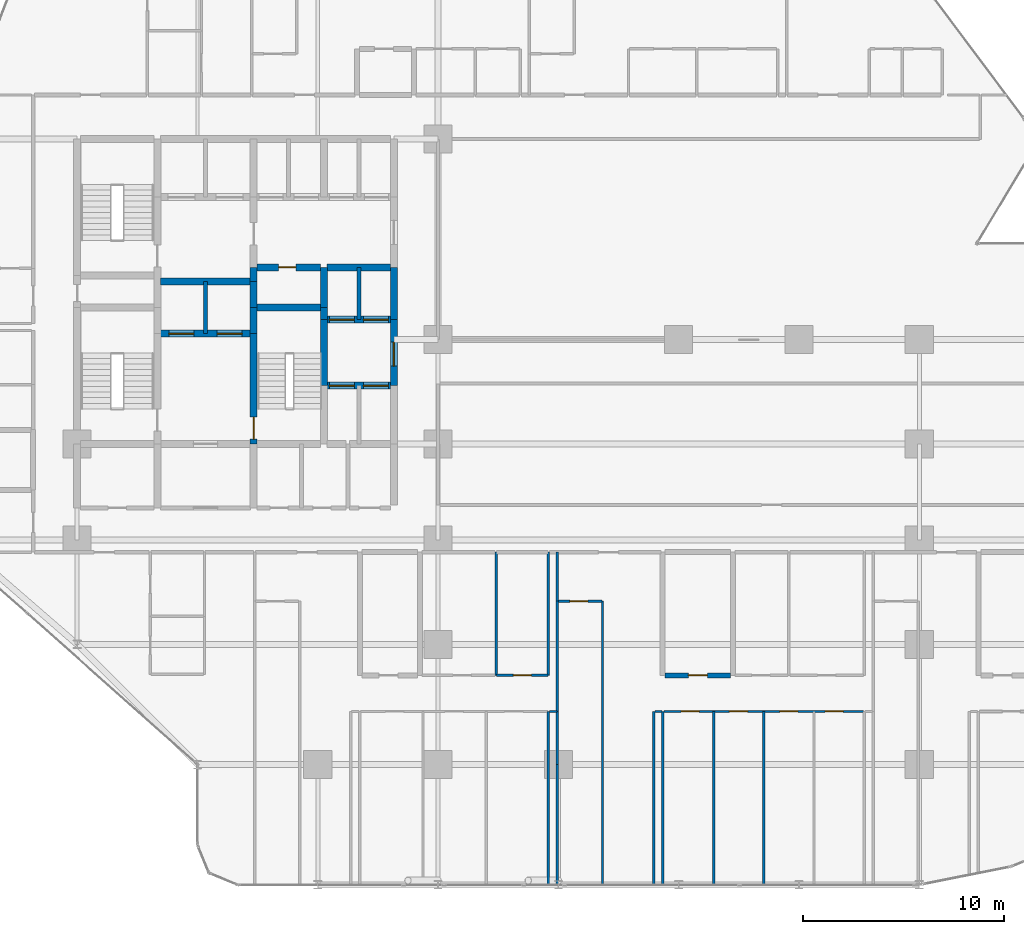
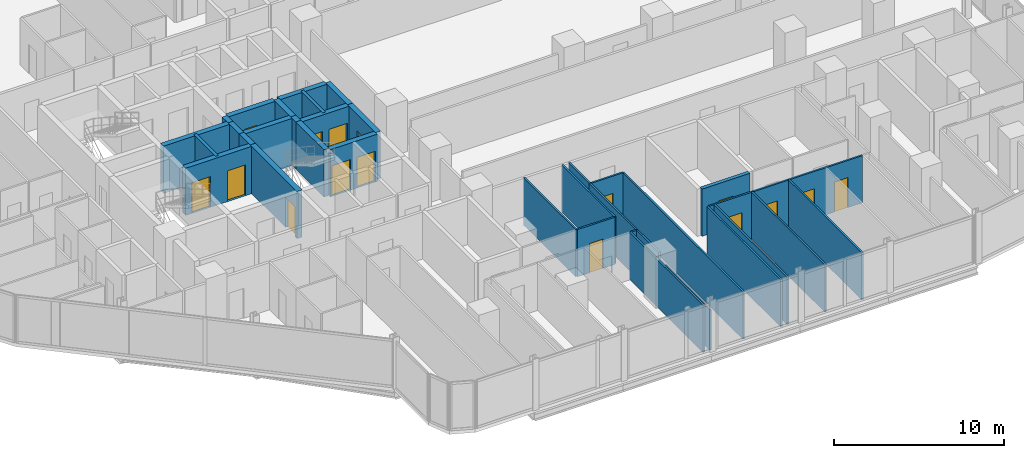
# One storey, part 28 of 33: 36 walls, 16 doors, 16 openings.
"""IFC4 building model written with IfcOpenShell, lengths in metres."""

from ifc_helpers import new_model, si_unit, direction, frame, frame_2d, origin, place, context, subcontext, project, spatial, rectangle, extrude, material, layer, layer_set, type_object, element, fill, save


model = new_model("IFC4")

# Units and contexts
model_context = context("Model", 3, precision=1e-05, world=origin(), true_north=direction((0.0, 1.0)))
body_context = subcontext(model_context, "Body", "Model", "MODEL_VIEW")
ifc_project = project(units=[si_unit("LENGTHUNIT", "METRE"), si_unit("AREAUNIT", "SQUARE_METRE"), si_unit("VOLUMEUNIT", "CUBIC_METRE"), si_unit("PLANEANGLEUNIT", "RADIAN"), si_unit("MASSUNIT", "GRAM", prefix="KILO")], contexts=[model_context])

# Site, building, storey
site_placement = place(None, origin())
site = spatial("IfcSite", under=ifc_project, at=site_placement, CompositionType="ELEMENT")
building_placement = place(site_placement, origin())
building = spatial("IfcBuilding", under=site, at=building_placement, Name="Keshet Zoharim Tower", CompositionType="ELEMENT")
storey_placement = place(building_placement, frame((0.0, 0.0, 27.699951171875)))
storey = spatial("IfcBuildingStorey", under=building, at=storey_placement, Name="L05", CompositionType="ELEMENT", Elevation=27.699951171875)

# Wall, opening, door
ifc_material_1 = material(Name="Concrete C60/75", Category="concrete")
ifc_layer_1 = layer(ifc_material_1, 0.35009765625)
ifc_layer_set_1 = layer_set([ifc_layer_1], Name="Concrete C60/75")
wall_type_1 = type_object("IfcWallType", Name="WL-CORE-350", PredefinedType="SHEAR", material=ifc_layer_set_1)
wall_1_placement = place(storey_placement, frame((23.800048828125, 22.699951171875, 0.0), z_axis=(0.0, 0.0, 1.0), x_axis=(0.0, 1.0, 0.0)))
wall_1 = element("IfcWall", 1, at=wall_1_placement, inside=storey, type_object=wall_type_1, Name="L05 Core Shear Wall 035", PredefinedType="SHEAR", context=body_context, shape_type="SweptSolid", body=[
    extrude(rectangle(XDim=5.5, YDim=0.35009765625, at=frame_2d((2.75, 0.0))), origin(), (0.0, 0.0, 1.0), 3.385009765625),
])
opening_1_placement = place(wall_1_placement, frame((0.235107421875, 0.0, 0.0)))
opening_1 = element("IfcOpeningElement", 2, at=opening_1_placement, cuts=wall_1, Name="Opening D-F611", PredefinedType="OPENING", context=body_context, shape_type="SweptSolid", body=[
    extrude(rectangle(XDim=1.10009765625, YDim=2.14990234375, at=frame_2d((0.550048828125, 1.074951171875))), frame((0.0, 0.18505859375, 0.0), z_axis=(0.0, -1.0, 0.0), x_axis=(1.0, 0.0, 0.0)), (0.0, 0.0, 1.0), 0.3701171875),
])
ifc_material_2 = material(Name="Hardwood Timber", Category="wood")
door_type_1 = type_object("IfcDoorType", Name="DR-FD60-110", OperationType="NOTDEFINED", PredefinedType="DOOR", material=ifc_material_2)
door_1_placement = place(opening_1_placement, frame((1.10009765625, 0.0, 0.0), z_axis=(0.0, 0.0, 1.0), x_axis=(-1.0, 0.0, 0.0)))
door_1 = element("IfcDoor", 3, at=door_1_placement, inside=storey, type_object=door_type_1, Name="L05 Exit Stair ST-03 Fire Door", OperationType="SINGLE_SWING_RIGHT", OverallHeight=2.14990234375, OverallWidth=1.10009765625, PredefinedType="DOOR", context=body_context, shape_type="SweptSolid", body=[
    extrude(rectangle(XDim=1.10009765625, YDim=2.14990234375, at=frame_2d((0.550048828125, 1.074951171875))), frame((0.0, 0.02490234375, 0.0), z_axis=(0.0, -1.0, 0.0), x_axis=(1.0, 0.0, 0.0)), (0.0, 0.0, 1.0), 0.050048828125),
])
fill(opening_1, door_1)

# Walls
for number, where, z_axis, x_axis, name in (
    (4, (23.800048828125, 28.199951171875, 0.0), (0.0, 0.0, 1.0), (0.0, 1.0, 0.0), "L05 Core Shear Wall 036"),
    (5, (23.800048828125, 29.5, 0.0), (0.0, 0.0, 1.0), (0.0, 1.0, 0.0), "L05 Core Shear Wall 037"),
):
    element("IfcWall", number, at=place(storey_placement, frame(where, z_axis=z_axis, x_axis=x_axis)), inside=storey, type_object=wall_type_1, Name=name, PredefinedType="SHEAR", context=body_context, shape_type="SweptSolid", body=[
        extrude(rectangle(XDim=1.300048828125, YDim=0.35009765625, at=frame_2d((0.64990234375, 0.0))), origin(), (0.0, 0.0, 1.0), 3.385009765625),
    ])
wall_2_placement = place(storey_placement, frame((23.800048828125, 30.800048828125, 0.0), z_axis=(0.0, 0.0, 1.0), x_axis=(0.0, 1.0, 0.0)))
element("IfcWall", 6, at=wall_2_placement, inside=storey, type_object=wall_type_1, Name="L05 Core Shear Wall 038", PredefinedType="SHEAR", context=body_context, shape_type="SweptSolid", body=[
    extrude(rectangle(XDim=0.699951171875, YDim=0.35009765625, at=frame_2d((0.35009765625, 0.0))), origin(), (0.0, 0.0, 1.0), 3.385009765625),
])
wall_3_placement = place(storey_placement, frame((27.300048828125, 25.60009765625, 0.0), z_axis=(0.0, 0.0, 1.0), x_axis=(0.0, 1.0, 0.0)))
element("IfcWall", 7, at=wall_3_placement, inside=storey, type_object=wall_type_1, Name="L05 Core Shear Wall 048", PredefinedType="SHEAR", context=body_context, shape_type="SweptSolid", body=[
    extrude(rectangle(XDim=3.2998046875, YDim=0.35009765625, at=frame_2d((1.64990234375, 0.0))), origin(), (0.0, 0.0, 1.0), 3.385009765625),
])
wall_4_placement = place(storey_placement, frame((27.300048828125, 28.89990234375, 0.0), z_axis=(0.0, 0.0, 1.0), x_axis=(0.0, 1.0, 0.0)))
element("IfcWall", 8, at=wall_4_placement, inside=storey, type_object=wall_type_1, Name="L05 Core Shear Wall 049", PredefinedType="SHEAR", context=body_context, shape_type="SweptSolid", body=[
    extrude(rectangle(XDim=0.60009765625, YDim=0.35009765625, at=frame_2d((0.300048828125, 0.0))), origin(), (0.0, 0.0, 1.0), 3.385009765625),
])
wall_5_placement = place(storey_placement, frame((27.300048828125, 29.5, 0.0), z_axis=(0.0, 0.0, 1.0), x_axis=(0.0, 1.0, 0.0)))
element("IfcWall", 9, at=wall_5_placement, inside=storey, type_object=wall_type_1, Name="L05 Core Shear Wall 050", PredefinedType="SHEAR", context=body_context, shape_type="SweptSolid", body=[
    extrude(rectangle(XDim=2.0, YDim=0.35009765625, at=frame_2d((1.0, 0.0))), origin(), (0.0, 0.0, 1.0), 3.385009765625),
])

# Wall, opening, door
wall_6_placement = place(storey_placement, frame((30.800048828125, 25.60009765625, 0.0), z_axis=(0.0, 0.0, 1.0), x_axis=(0.0, 1.0, 0.0)))
wall_6 = element("IfcWall", 10, at=wall_6_placement, inside=storey, type_object=wall_type_1, Name="L05 Core Shear Wall 064", PredefinedType="SHEAR", context=body_context, shape_type="SweptSolid", body=[
    extrude(rectangle(XDim=3.2998046875, YDim=0.35009765625, at=frame_2d((1.64990234375, 0.0))), origin(), (0.0, 0.0, 1.0), 3.385009765625),
])
opening_2_placement = place(wall_6_placement, frame((0.97802734375, 0.0, 0.0)))
opening_2 = element("IfcOpeningElement", 11, at=opening_2_placement, cuts=wall_6, Name="Opening D-F612", PredefinedType="OPENING", context=body_context, shape_type="SweptSolid", body=[
    extrude(rectangle(XDim=1.199951171875, YDim=2.199951171875, at=frame_2d((0.60009765625, 1.10009765625))), frame((0.0, 0.18505859375, 0.0), z_axis=(0.0, -1.0, 0.0), x_axis=(1.0, 0.0, 0.0)), (0.0, 0.0, 1.0), 0.3701171875),
])
door_type_2 = type_object("IfcDoorType", Name="DR-FD60-120", OperationType="NOTDEFINED", PredefinedType="DOOR", material=ifc_material_2)
door_2_placement = place(opening_2_placement, origin())
door_2 = element("IfcDoor", 12, at=door_2_placement, inside=storey, type_object=door_type_2, Name="L05 East Lift Lobby Fire Door", OperationType="SINGLE_SWING_RIGHT", OverallHeight=2.199951171875, OverallWidth=1.199951171875, PredefinedType="DOOR", context=body_context, shape_type="SweptSolid", body=[
    extrude(rectangle(XDim=1.199951171875, YDim=2.199951171875, at=frame_2d((0.60009765625, 1.10009765625))), frame((0.0, 0.02490234375, 0.0), z_axis=(0.0, -1.0, 0.0), x_axis=(1.0, 0.0, 0.0)), (0.0, 0.0, 1.0), 0.050048828125),
])
fill(opening_2, door_2)

# Wall
wall_7_placement = place(storey_placement, frame((30.800048828125, 28.89990234375, 0.0), z_axis=(0.0, 0.0, 1.0), x_axis=(0.0, 1.0, 0.0)))
element("IfcWall", 13, at=wall_7_placement, inside=storey, type_object=wall_type_1, Name="L05 Core Shear Wall 065", PredefinedType="SHEAR", context=body_context, shape_type="SweptSolid", body=[
    extrude(rectangle(XDim=2.60009765625, YDim=0.35009765625, at=frame_2d((1.300048828125, 0.0))), origin(), (0.0, 0.0, 1.0), 3.385009765625),
])

# Wall, openings, doors
wall_8_placement = place(storey_placement, frame((27.4599609375, 25.60009765625, 0.0), z_axis=(0.0, 0.0, 1.0), x_axis=(1.0, 0.0, 0.0)))
wall_8 = element("IfcWall", 14, at=wall_8_placement, inside=storey, type_object=wall_type_1, Name="L05 Core Shear Wall 183", PredefinedType="SHEAR", context=body_context, shape_type="SweptSolid", body=[
    extrude(rectangle(XDim=3.179931640625, YDim=0.35009765625, at=frame_2d((1.58984375, 0.0))), origin(), (0.0, 0.0, 1.0), 3.385009765625),
])
opening_3_placement = place(wall_8_placement, frame((0.1201171875, 0.0, 0.0)))
opening_3 = element("IfcOpeningElement", 15, at=opening_3_placement, cuts=wall_8, Name="Opening LD-01", PredefinedType="OPENING", context=body_context, shape_type="SweptSolid", body=[
    extrude(rectangle(XDim=1.25, YDim=2.199951171875, at=frame_2d((0.625, 1.10009765625))), frame((0.0, 0.18505859375, 0.0), z_axis=(0.0, -1.0, 0.0), x_axis=(1.0, 0.0, 0.0)), (0.0, 0.0, 1.0), 0.3701171875),
])
opening_4_placement = place(wall_8_placement, frame((1.81005859375, 0.0, 0.0)))
opening_4 = element("IfcOpeningElement", 16, at=opening_4_placement, cuts=wall_8, Name="Opening LD-01", PredefinedType="OPENING", context=body_context, shape_type="SweptSolid", body=[
    extrude(rectangle(XDim=1.25, YDim=2.199951171875, at=frame_2d((0.625, 1.10009765625))), frame((0.0, 0.18505859375, 0.0), z_axis=(0.0, -1.0, 0.0), x_axis=(1.0, 0.0, 0.0)), (0.0, 0.0, 1.0), 0.3701171875),
])
ifc_material_3 = material(Name="Steel S355", Category="steel")
door_type_3 = type_object("IfcDoorType", Name="DR-LD01-125", OperationType="DOUBLE_DOOR_SLIDING", PredefinedType="DOOR", material=ifc_material_3)
door_3_placement = place(opening_3_placement, origin())
door_3 = element("IfcDoor", 17, at=door_3_placement, inside=storey, type_object=door_type_3, Name="L05 Passenger Lift Landing Door LF-07", OperationType="DOUBLE_DOOR_SLIDING", OverallHeight=2.199951171875, OverallWidth=1.25, PredefinedType="DOOR", context=body_context, shape_type="SweptSolid", body=[
    extrude(rectangle(XDim=1.25, YDim=2.199951171875, at=frame_2d((0.625, 1.10009765625))), frame((0.0, 0.02490234375, 0.0), z_axis=(0.0, -1.0, 0.0), x_axis=(1.0, 0.0, 0.0)), (0.0, 0.0, 1.0), 0.050048828125),
])
fill(opening_3, door_3)
door_4_placement = place(opening_4_placement, origin())
door_4 = element("IfcDoor", 18, at=door_4_placement, inside=storey, type_object=door_type_3, Name="L05 Passenger Lift Landing Door LF-08", OperationType="DOUBLE_DOOR_SLIDING", OverallHeight=2.199951171875, OverallWidth=1.25, PredefinedType="DOOR", context=body_context, shape_type="SweptSolid", body=[
    extrude(rectangle(XDim=1.25, YDim=2.199951171875, at=frame_2d((0.625, 1.10009765625))), frame((0.0, 0.02490234375, 0.0), z_axis=(0.0, -1.0, 0.0), x_axis=(1.0, 0.0, 0.0)), (0.0, 0.0, 1.0), 0.050048828125),
])
fill(opening_4, door_4)

wall_9_placement = place(storey_placement, frame((19.159912109375, 28.199951171875, 0.0), z_axis=(0.0, 0.0, 1.0), x_axis=(1.0, 0.0, 0.0)))
wall_9 = element("IfcWall", 19, at=wall_9_placement, inside=storey, type_object=wall_type_1, Name="L05 Core Shear Wall 188", PredefinedType="SHEAR", context=body_context, shape_type="SweptSolid", body=[
    extrude(rectangle(XDim=4.47998046875, YDim=0.35009765625, at=frame_2d((2.239990234375, 0.0))), origin(), (0.0, 0.0, 1.0), 3.385009765625),
])
opening_5_placement = place(wall_9_placement, frame((0.4150390625, 0.0, 0.0)))
opening_5 = element("IfcOpeningElement", 20, at=opening_5_placement, cuts=wall_9, Name="Opening LD-01", PredefinedType="OPENING", context=body_context, shape_type="SweptSolid", body=[
    extrude(rectangle(XDim=1.25, YDim=2.199951171875, at=frame_2d((0.625, 1.10009765625))), frame((0.0, 0.18505859375, 0.0), z_axis=(0.0, -1.0, 0.0), x_axis=(1.0, 0.0, 0.0)), (0.0, 0.0, 1.0), 0.3701171875),
])
opening_6_placement = place(wall_9_placement, frame((2.81494140625, 0.0, 0.0)))
opening_6 = element("IfcOpeningElement", 21, at=opening_6_placement, cuts=wall_9, Name="Opening LD-01", PredefinedType="OPENING", context=body_context, shape_type="SweptSolid", body=[
    extrude(rectangle(XDim=1.25, YDim=2.199951171875, at=frame_2d((0.625, 1.10009765625))), frame((0.0, 0.18505859375, 0.0), z_axis=(0.0, -1.0, 0.0), x_axis=(1.0, 0.0, 0.0)), (0.0, 0.0, 1.0), 0.3701171875),
])
door_5_placement = place(opening_5_placement, origin())
door_5 = element("IfcDoor", 22, at=door_5_placement, inside=storey, type_object=door_type_3, Name="L05 Passenger Lift Landing Door LF-09", OperationType="DOUBLE_DOOR_SLIDING", OverallHeight=2.199951171875, OverallWidth=1.25, PredefinedType="DOOR", context=body_context, shape_type="SweptSolid", body=[
    extrude(rectangle(XDim=1.25, YDim=2.199951171875, at=frame_2d((0.625, 1.10009765625))), frame((0.0, 0.02490234375, 0.0), z_axis=(0.0, -1.0, 0.0), x_axis=(1.0, 0.0, 0.0)), (0.0, 0.0, 1.0), 0.050048828125),
])
fill(opening_5, door_5)
door_6_placement = place(opening_6_placement, origin())
door_6 = element("IfcDoor", 23, at=door_6_placement, inside=storey, type_object=door_type_3, Name="L05 Passenger Lift Landing Door LF-10", OperationType="DOUBLE_DOOR_SLIDING", OverallHeight=2.199951171875, OverallWidth=1.25, PredefinedType="DOOR", context=body_context, shape_type="SweptSolid", body=[
    extrude(rectangle(XDim=1.25, YDim=2.199951171875, at=frame_2d((0.625, 1.10009765625))), frame((0.0, 0.02490234375, 0.0), z_axis=(0.0, -1.0, 0.0), x_axis=(1.0, 0.0, 0.0)), (0.0, 0.0, 1.0), 0.050048828125),
])
fill(opening_6, door_6)

wall_10_placement = place(storey_placement, frame((27.4599609375, 28.89990234375, 0.0), z_axis=(0.0, 0.0, 1.0), x_axis=(1.0, 0.0, 0.0)))
wall_10 = element("IfcWall", 24, at=wall_10_placement, inside=storey, type_object=wall_type_1, Name="L05 Core Shear Wall 193", PredefinedType="SHEAR", context=body_context, shape_type="SweptSolid", body=[
    extrude(rectangle(XDim=3.179931640625, YDim=0.35009765625, at=frame_2d((1.58984375, 0.0))), origin(), (0.0, 0.0, 1.0), 3.385009765625),
])
opening_7_placement = place(wall_10_placement, frame((0.1201171875, 0.0, 0.0)))
opening_7 = element("IfcOpeningElement", 25, at=opening_7_placement, cuts=wall_10, Name="Opening LD-01", PredefinedType="OPENING", context=body_context, shape_type="SweptSolid", body=[
    extrude(rectangle(XDim=1.25, YDim=2.199951171875, at=frame_2d((0.625, 1.10009765625))), frame((0.0, 0.18505859375, 0.0), z_axis=(0.0, -1.0, 0.0), x_axis=(1.0, 0.0, 0.0)), (0.0, 0.0, 1.0), 0.3701171875),
])
opening_8_placement = place(wall_10_placement, frame((1.81005859375, 0.0, 0.0)))
opening_8 = element("IfcOpeningElement", 26, at=opening_8_placement, cuts=wall_10, Name="Opening LD-01", PredefinedType="OPENING", context=body_context, shape_type="SweptSolid", body=[
    extrude(rectangle(XDim=1.25, YDim=2.199951171875, at=frame_2d((0.625, 1.10009765625))), frame((0.0, 0.18505859375, 0.0), z_axis=(0.0, -1.0, 0.0), x_axis=(1.0, 0.0, 0.0)), (0.0, 0.0, 1.0), 0.3701171875),
])
door_7_placement = place(opening_7_placement, origin())
door_7 = element("IfcDoor", 27, at=door_7_placement, inside=storey, type_object=door_type_3, Name="L05 Passenger Lift Landing Door LF-05", OperationType="DOUBLE_DOOR_SLIDING", OverallHeight=2.199951171875, OverallWidth=1.25, PredefinedType="DOOR", context=body_context, shape_type="SweptSolid", body=[
    extrude(rectangle(XDim=1.25, YDim=2.199951171875, at=frame_2d((0.625, 1.10009765625))), frame((0.0, 0.02490234375, 0.0), z_axis=(0.0, -1.0, 0.0), x_axis=(1.0, 0.0, 0.0)), (0.0, 0.0, 1.0), 0.050048828125),
])
fill(opening_7, door_7)
door_8_placement = place(opening_8_placement, origin())
door_8 = element("IfcDoor", 28, at=door_8_placement, inside=storey, type_object=door_type_3, Name="L05 Passenger Lift Landing Door LF-06", OperationType="DOUBLE_DOOR_SLIDING", OverallHeight=2.199951171875, OverallWidth=1.25, PredefinedType="DOOR", context=body_context, shape_type="SweptSolid", body=[
    extrude(rectangle(XDim=1.25, YDim=2.199951171875, at=frame_2d((0.625, 1.10009765625))), frame((0.0, 0.02490234375, 0.0), z_axis=(0.0, -1.0, 0.0), x_axis=(1.0, 0.0, 0.0)), (0.0, 0.0, 1.0), 0.050048828125),
])
fill(opening_8, door_8)

# Walls
wall_11_placement = place(storey_placement, frame((23.9599609375, 29.5, 0.0), z_axis=(0.0, 0.0, 1.0), x_axis=(1.0, 0.0, 0.0)))
element("IfcWall", 29, at=wall_11_placement, inside=storey, type_object=wall_type_1, Name="L05 Core Shear Wall 195", PredefinedType="SHEAR", context=body_context, shape_type="SweptSolid", body=[
    extrude(rectangle(XDim=3.179931640625, YDim=0.35009765625, at=frame_2d((1.58984375, 0.0))), origin(), (0.0, 0.0, 1.0), 3.385009765625),
])
wall_12_placement = place(storey_placement, frame((19.159912109375, 30.800048828125, 0.0), z_axis=(0.0, 0.0, 1.0), x_axis=(1.0, 0.0, 0.0)))
element("IfcWall", 30, at=wall_12_placement, inside=storey, type_object=wall_type_1, Name="L05 Core Shear Wall 196", PredefinedType="SHEAR", context=body_context, shape_type="SweptSolid", body=[
    extrude(rectangle(XDim=4.47998046875, YDim=0.35009765625, at=frame_2d((2.239990234375, 0.0))), origin(), (0.0, 0.0, 1.0), 3.385009765625),
])

# Wall, opening, door
wall_13_placement = place(storey_placement, frame((23.9599609375, 31.5, 0.0), z_axis=(0.0, 0.0, 1.0), x_axis=(1.0, 0.0, 0.0)))
wall_13 = element("IfcWall", 31, at=wall_13_placement, inside=storey, type_object=wall_type_1, Name="L05 Core Shear Wall 200", PredefinedType="SHEAR", context=body_context, shape_type="SweptSolid", body=[
    extrude(rectangle(XDim=3.179931640625, YDim=0.35009765625, at=frame_2d((1.58984375, 0.0))), origin(), (0.0, 0.0, 1.0), 3.385009765625),
])
opening_9_placement = place(wall_13_placement, frame((1.093994140625, 0.0, 0.0)))
opening_9 = element("IfcOpeningElement", 32, at=opening_9_placement, cuts=wall_13, Name="Opening D-RS85", PredefinedType="OPENING", context=body_context, shape_type="SweptSolid", body=[
    extrude(rectangle(XDim=0.85009765625, YDim=2.10009765625, at=frame_2d((0.425048828125, 1.050048828125))), frame((0.0, 0.18505859375, 0.0), z_axis=(0.0, -1.0, 0.0), x_axis=(1.0, 0.0, 0.0)), (0.0, 0.0, 1.0), 0.3701171875),
])
door_type_4 = type_object("IfcDoorType", Name="DR-RIS-085", OperationType="NOTDEFINED", PredefinedType="DOOR", material=ifc_material_2)
door_9_placement = place(opening_9_placement, origin())
door_9 = element("IfcDoor", 33, at=door_9_placement, inside=storey, type_object=door_type_4, Name="L05 Telecom Riser Access Cupboard Door", OperationType="SINGLE_SWING_RIGHT", OverallHeight=2.10009765625, OverallWidth=0.85009765625, PredefinedType="DOOR", context=body_context, shape_type="SweptSolid", body=[
    extrude(rectangle(XDim=0.85009765625, YDim=2.10009765625, at=frame_2d((0.425048828125, 1.050048828125))), frame((0.0, 0.02490234375, 0.0), z_axis=(0.0, -1.0, 0.0), x_axis=(1.0, 0.0, 0.0)), (0.0, 0.0, 1.0), 0.050048828125),
])
fill(opening_9, door_9)

# Walls
wall_14_placement = place(storey_placement, frame((27.4599609375, 31.5, 0.0), z_axis=(0.0, 0.0, 1.0), x_axis=(1.0, 0.0, 0.0)))
element("IfcWall", 34, at=wall_14_placement, inside=storey, type_object=wall_type_1, Name="L05 Core Shear Wall 201", PredefinedType="SHEAR", context=body_context, shape_type="SweptSolid", body=[
    extrude(rectangle(XDim=3.179931640625, YDim=0.35009765625, at=frame_2d((1.58984375, 0.0))), origin(), (0.0, 0.0, 1.0), 3.385009765625),
])
ifc_material_4 = material(Name="Concrete C50/60", Category="concrete")
ifc_layer_2 = layer(ifc_material_4, 0.199951171875)
ifc_layer_set_2 = layer_set([ifc_layer_2], Name="Concrete C50/60")
wall_type_2 = type_object("IfcWallType", Name="WL-FIRE-200", PredefinedType="STANDARD", material=ifc_layer_set_2)
for number, where, z_axis, x_axis, name in (
    (35, (21.39990234375, 28.199951171875, 0.0), (0.0, 0.0, 1.0), (0.0, 1.0, 0.0), "L05 Interior Wall 030"),
    (36, (29.050048828125, 28.89990234375, 0.0), (0.0, 0.0, 1.0), (0.0, 1.0, 0.0), "L05 Interior Wall 058"),
):
    element("IfcWall", number, at=place(storey_placement, frame(where, z_axis=z_axis, x_axis=x_axis)), inside=storey, type_object=wall_type_2, Name=name, PredefinedType="STANDARD", context=body_context, shape_type="SweptSolid", body=[
        extrude(rectangle(XDim=2.60009765625, YDim=0.199951171875, at=frame_2d((1.300048828125, 0.0))), origin(), (0.0, 0.0, 1.0), 3.385009765625),
    ])

# Wall, opening, door
ifc_layer_3 = layer(ifc_material_4, 0.25)
ifc_layer_set_3 = layer_set([ifc_layer_3], Name="Concrete C50/60")
wall_type_3 = type_object("IfcWallType", Name="WL-MAMAD-250", PredefinedType="STANDARD", material=ifc_layer_set_3)
wall_15_placement = place(storey_placement, frame((44.330078125, 11.14990234375, 0.0), z_axis=(0.0, 0.0, 1.0), x_axis=(1.0, 0.0, 0.0)))
wall_15 = element("IfcWall", 37, at=wall_15_placement, inside=storey, type_object=wall_type_3, Name="L05 Interior Wall 140", PredefinedType="STANDARD", context=body_context, shape_type="SweptSolid", body=[
    extrude(rectangle(XDim=3.25390625, YDim=0.25, at=frame_2d((1.626953125, 0.0))), origin(), (0.0, 0.0, 1.0), 3.385009765625),
])
opening_10_placement = place(wall_15_placement, frame((1.152099609375, 0.0, 0.0)))
opening_10 = element("IfcOpeningElement", 38, at=opening_10_placement, cuts=wall_15, Name="Opening D-F695", PredefinedType="OPENING", context=body_context, shape_type="SweptSolid", body=[
    extrude(rectangle(XDim=0.949951171875, YDim=2.14990234375, at=frame_2d((0.47509765625, 1.074951171875))), frame((0.0, 0.135009765625, 0.0), z_axis=(0.0, -1.0, 0.0), x_axis=(1.0, 0.0, 0.0)), (0.0, 0.0, 1.0), 0.27001953125),
])
door_type_5 = type_object("IfcDoorType", Name="DR-FD60-095", OperationType="NOTDEFINED", PredefinedType="DOOR", material=ifc_material_2)
door_10_placement = place(opening_10_placement, origin())
door_10 = element("IfcDoor", 39, at=door_10_placement, inside=storey, type_object=door_type_5, Name="Apartment 0503 Study and Shelter Room Door", OperationType="SINGLE_SWING_LEFT", OverallHeight=2.14990234375, OverallWidth=0.949951171875, PredefinedType="DOOR", context=body_context, shape_type="SweptSolid", body=[
    extrude(rectangle(XDim=0.949951171875, YDim=2.14990234375, at=frame_2d((0.47509765625, 1.074951171875))), frame((0.0, 0.02490234375, 0.0), z_axis=(0.0, -1.0, 0.0), x_axis=(1.0, 0.0, 0.0)), (0.0, 0.0, 1.0), 0.050048828125),
])
fill(opening_10, door_10)

# Walls
ifc_material_5 = material(Name="Gypsum Plasterboard", Category="gypsum")
ifc_layer_4 = layer(ifc_material_5, 0.1201171875)
ifc_layer_set_4 = layer_set([ifc_layer_4], Name="Gypsum Plasterboard")
wall_type_4 = type_object("IfcWallType", Name="WL-PART-120", PredefinedType="PARTITIONING", material=ifc_layer_set_4)
wall_16_placement = place(storey_placement, frame((38.5, 0.7099609375, 0.0), z_axis=(0.0, 0.0, 1.0), x_axis=(0.0, 1.0, 0.0)))
element("IfcWall", 40, at=wall_16_placement, inside=storey, type_object=wall_type_4, Name="L05 Interior Wall 083", PredefinedType="PARTITIONING", context=body_context, shape_type="SweptSolid", body=[
    extrude(rectangle(XDim=8.64013671875, YDim=0.1201171875, at=frame_2d((4.320068359375, 0.0))), origin(), (0.0, 0.0, 1.0), 3.385009765625),
])
wall_17_placement = place(storey_placement, frame((38.949951171875, 0.7099609375, 0.0), z_axis=(0.0, 0.0, 1.0), x_axis=(0.0, 1.0, 0.0)))
element("IfcWall", 41, at=wall_17_placement, inside=storey, type_object=wall_type_4, Name="L05 Interior Wall 085", PredefinedType="PARTITIONING", context=body_context, shape_type="SweptSolid", body=[
    extrude(rectangle(XDim=5.989990234375, YDim=0.1201171875, at=frame_2d((2.9951171875, 0.0))), origin(), (0.0, 0.0, 1.0), 2.885009765625),
])
wall_18_placement = place(storey_placement, frame((38.949951171875, 9.35009765625, 0.0), z_axis=(0.0, 0.0, 1.0), x_axis=(0.0, 1.0, 0.0)))
element("IfcWall", 42, at=wall_18_placement, inside=storey, type_object=wall_type_4, Name="L05 Interior Wall 086", PredefinedType="PARTITIONING", context=body_context, shape_type="SweptSolid", body=[
    extrude(rectangle(XDim=5.5, YDim=0.1201171875, at=frame_2d((2.75, 0.0))), origin(), (0.0, 0.0, 1.0), 3.385009765625),
])
wall_19_placement = place(storey_placement, frame((38.949951171875, 14.85009765625, 0.0), z_axis=(0.0, 0.0, 1.0), x_axis=(0.0, 1.0, 0.0)))
element("IfcWall", 43, at=wall_19_placement, inside=storey, type_object=wall_type_4, Name="L05 Interior Wall 087", PredefinedType="PARTITIONING", context=body_context, shape_type="SweptSolid", body=[
    extrude(rectangle(XDim=2.449951171875, YDim=0.1201171875, at=frame_2d((1.22509765625, 0.0))), origin(), (0.0, 0.0, 1.0), 3.385009765625),
])
wall_20_placement = place(storey_placement, frame((41.199951171875, 0.7099609375, 0.0), z_axis=(0.0, 0.0, 1.0), x_axis=(0.0, 1.0, 0.0)))
element("IfcWall", 44, at=wall_20_placement, inside=storey, type_object=wall_type_4, Name="L05 Interior Wall 089", PredefinedType="PARTITIONING", context=body_context, shape_type="SweptSolid", body=[
    extrude(rectangle(XDim=14.14013671875, YDim=0.1201171875, at=frame_2d((7.070068359375, 0.0))), origin(), (0.0, 0.0, 1.0), 3.385009765625),
])
for number, where, z_axis, x_axis, name in (
    (45, (43.75, 0.7099609375, 0.0), (0.0, 0.0, 1.0), (0.0, 1.0, 0.0), "L05 Interior Wall 093"),
    (46, (44.199951171875, 0.7099609375, 0.0), (0.0, 0.0, 1.0), (0.0, 1.0, 0.0), "L05 Interior Wall 094"),
    (47, (46.75, 0.7099609375, 0.0), (0.0, 0.0, 1.0), (0.0, 1.0, 0.0), "L05 Interior Wall 098"),
    (48, (49.25, 0.7099609375, 0.0), (0.0, 0.0, 1.0), (0.0, 1.0, 0.0), "L05 Interior Wall 101"),
):
    element("IfcWall", number, at=place(storey_placement, frame(where, z_axis=z_axis, x_axis=x_axis)), inside=storey, type_object=wall_type_4, Name=name, PredefinedType="PARTITIONING", context=body_context, shape_type="SweptSolid", body=[
        extrude(rectangle(XDim=8.64013671875, YDim=0.1201171875, at=frame_2d((4.320068359375, 0.0))), origin(), (0.0, 0.0, 1.0), 3.385009765625),
    ])
for number, where, z_axis, x_axis, name in (
    (49, (38.56494140625, 9.35009765625, 0.0), (0.0, 0.0, 1.0), (1.0, 0.0, 0.0), "L05 Interior Wall 131"),
    (50, (43.81494140625, 9.35009765625, 0.0), (0.0, 0.0, 1.0), (1.0, 0.0, 0.0), "L05 Interior Wall 132"),
):
    element("IfcWall", number, at=place(storey_placement, frame(where, z_axis=z_axis, x_axis=x_axis)), inside=storey, type_object=wall_type_4, Name=name, PredefinedType="PARTITIONING", context=body_context, shape_type="SweptSolid", body=[
        extrude(rectangle(XDim=0.360107421875, YDim=0.1201171875, at=frame_2d((0.18017578125, 0.0))), origin(), (0.0, 0.0, 1.0), 3.385009765625),
    ])

# Wall, openings, doors
wall_21_placement = place(storey_placement, frame((44.264892578125, 9.35009765625, 0.0), z_axis=(0.0, 0.0, 1.0), x_axis=(1.0, 0.0, 0.0)))
wall_21 = element("IfcWall", 51, at=wall_21_placement, inside=storey, type_object=wall_type_4, Name="L05 Interior Wall 133", PredefinedType="PARTITIONING", context=body_context, shape_type="SweptSolid", body=[
    extrude(rectangle(XDim=9.9501953125, YDim=0.1201171875, at=frame_2d((4.97509765625, 0.0))), origin(), (0.0, 0.0, 1.0), 3.385009765625),
])
opening_11_placement = place(wall_21_placement, frame((0.861083984375, 0.0, 0.0)))
opening_11 = element("IfcOpeningElement", 52, at=opening_11_placement, cuts=wall_21, Name="Opening D-IN90", PredefinedType="OPENING", context=body_context, shape_type="SweptSolid", body=[
    extrude(rectangle(XDim=0.89990234375, YDim=2.14990234375, at=frame_2d((0.449951171875, 1.074951171875))), frame((0.0, 0.070068359375, 0.0), z_axis=(0.0, -1.0, 0.0), x_axis=(1.0, 0.0, 0.0)), (0.0, 0.0, 1.0), 0.14013671875),
])
opening_12_placement = place(wall_21_placement, frame((3.27001953125, 0.0, 0.0)))
opening_12 = element("IfcOpeningElement", 53, at=opening_12_placement, cuts=wall_21, Name="Opening D-IN90", PredefinedType="OPENING", context=body_context, shape_type="SweptSolid", body=[
    extrude(rectangle(XDim=0.89990234375, YDim=2.14990234375, at=frame_2d((0.449951171875, 1.074951171875))), frame((0.0, 0.070068359375, 0.0), z_axis=(0.0, -1.0, 0.0), x_axis=(1.0, 0.0, 0.0)), (0.0, 0.0, 1.0), 0.14013671875),
])
opening_13_placement = place(wall_21_placement, frame((5.780029296875, 0.0, 0.0)))
opening_13 = element("IfcOpeningElement", 54, at=opening_13_placement, cuts=wall_21, Name="Opening D-IN90", PredefinedType="OPENING", context=body_context, shape_type="SweptSolid", body=[
    extrude(rectangle(XDim=0.89990234375, YDim=2.14990234375, at=frame_2d((0.449951171875, 1.074951171875))), frame((0.0, 0.070068359375, 0.0), z_axis=(0.0, -1.0, 0.0), x_axis=(1.0, 0.0, 0.0)), (0.0, 0.0, 1.0), 0.14013671875),
])
opening_14_placement = place(wall_21_placement, frame((8.041015625, 0.0, 0.0)))
opening_14 = element("IfcOpeningElement", 55, at=opening_14_placement, cuts=wall_21, Name="Opening D-IN90", PredefinedType="OPENING", context=body_context, shape_type="SweptSolid", body=[
    extrude(rectangle(XDim=0.89990234375, YDim=2.14990234375, at=frame_2d((0.449951171875, 1.074951171875))), frame((0.0, 0.070068359375, 0.0), z_axis=(0.0, -1.0, 0.0), x_axis=(1.0, 0.0, 0.0)), (0.0, 0.0, 1.0), 0.14013671875),
])
door_type_6 = type_object("IfcDoorType", Name="DR-INT-090", OperationType="NOTDEFINED", PredefinedType="DOOR", material=ifc_material_2)
door_11_placement = place(opening_11_placement, origin())
door_11 = element("IfcDoor", 56, at=door_11_placement, inside=storey, type_object=door_type_6, Name="Apartment 0503 Bedroom 1 Door", OperationType="SINGLE_SWING_LEFT", OverallHeight=2.14990234375, OverallWidth=0.89990234375, PredefinedType="DOOR", context=body_context, shape_type="SweptSolid", body=[
    extrude(rectangle(XDim=0.89990234375, YDim=2.14990234375, at=frame_2d((0.449951171875, 1.074951171875))), frame((0.0, 0.02490234375, 0.0), z_axis=(0.0, -1.0, 0.0), x_axis=(1.0, 0.0, 0.0)), (0.0, 0.0, 1.0), 0.050048828125),
])
fill(opening_11, door_11)
door_12_placement = place(opening_12_placement, origin())
door_12 = element("IfcDoor", 57, at=door_12_placement, inside=storey, type_object=door_type_6, Name="Apartment 0503 Bedroom 2 Door", OperationType="SINGLE_SWING_RIGHT", OverallHeight=2.14990234375, OverallWidth=0.89990234375, PredefinedType="DOOR", context=body_context, shape_type="SweptSolid", body=[
    extrude(rectangle(XDim=0.89990234375, YDim=2.14990234375, at=frame_2d((0.449951171875, 1.074951171875))), frame((0.0, 0.02490234375, 0.0), z_axis=(0.0, -1.0, 0.0), x_axis=(1.0, 0.0, 0.0)), (0.0, 0.0, 1.0), 0.050048828125),
])
fill(opening_12, door_12)
door_13_placement = place(opening_13_placement, origin())
door_13 = element("IfcDoor", 58, at=door_13_placement, inside=storey, type_object=door_type_6, Name="Apartment 0503 Bedroom 3 Door", OperationType="SINGLE_SWING_LEFT", OverallHeight=2.14990234375, OverallWidth=0.89990234375, PredefinedType="DOOR", context=body_context, shape_type="SweptSolid", body=[
    extrude(rectangle(XDim=0.89990234375, YDim=2.14990234375, at=frame_2d((0.449951171875, 1.074951171875))), frame((0.0, 0.02490234375, 0.0), z_axis=(0.0, -1.0, 0.0), x_axis=(1.0, 0.0, 0.0)), (0.0, 0.0, 1.0), 0.050048828125),
])
fill(opening_13, door_13)
door_14_placement = place(opening_14_placement, origin())
door_14 = element("IfcDoor", 59, at=door_14_placement, inside=storey, type_object=door_type_6, Name="Apartment 0503 Bedroom 4 Door", OperationType="SINGLE_SWING_RIGHT", OverallHeight=2.14990234375, OverallWidth=0.89990234375, PredefinedType="DOOR", context=body_context, shape_type="SweptSolid", body=[
    extrude(rectangle(XDim=0.89990234375, YDim=2.14990234375, at=frame_2d((0.449951171875, 1.074951171875))), frame((0.0, 0.02490234375, 0.0), z_axis=(0.0, -1.0, 0.0), x_axis=(1.0, 0.0, 0.0)), (0.0, 0.0, 1.0), 0.050048828125),
])
fill(opening_14, door_14)

# Wall, opening, door
wall_22_placement = place(storey_placement, frame((39.014892578125, 14.85009765625, 0.0), z_axis=(0.0, 0.0, 1.0), x_axis=(1.0, 0.0, 0.0)))
wall_22 = element("IfcWall", 60, at=wall_22_placement, inside=storey, type_object=wall_type_4, Name="L05 Interior Wall 149", PredefinedType="PARTITIONING", context=body_context, shape_type="SweptSolid", body=[
    extrude(rectangle(XDim=2.16015625, YDim=0.1201171875, at=frame_2d((1.080078125, 0.0))), origin(), (0.0, 0.0, 1.0), 3.385009765625),
])
opening_15_placement = place(wall_22_placement, frame((0.552978515625, 0.0, 0.0)))
opening_15 = element("IfcOpeningElement", 61, at=opening_15_placement, cuts=wall_22, Name="Opening D-IN90", PredefinedType="OPENING", context=body_context, shape_type="SweptSolid", body=[
    extrude(rectangle(XDim=0.89990234375, YDim=2.14990234375, at=frame_2d((0.449951171875, 1.074951171875))), frame((0.0, 0.070068359375, 0.0), z_axis=(0.0, -1.0, 0.0), x_axis=(1.0, 0.0, 0.0)), (0.0, 0.0, 1.0), 0.14013671875),
])
door_15_placement = place(opening_15_placement, origin())
door_15 = element("IfcDoor", 62, at=door_15_placement, inside=storey, type_object=door_type_6, Name="Apartment 0503 Formal Dining Room Door", OperationType="SINGLE_SWING_RIGHT", OverallHeight=2.14990234375, OverallWidth=0.89990234375, PredefinedType="DOOR", context=body_context, shape_type="SweptSolid", body=[
    extrude(rectangle(XDim=0.89990234375, YDim=2.14990234375, at=frame_2d((0.449951171875, 1.074951171875))), frame((0.0, 0.02490234375, 0.0), z_axis=(0.0, -1.0, 0.0), x_axis=(1.0, 0.0, 0.0)), (0.0, 0.0, 1.0), 0.050048828125),
])
fill(opening_15, door_15)

# Walls
wall_23_placement = place(storey_placement, frame((38.949951171875, 6.699951171875, 0.0), z_axis=(0.0, 0.0, 1.0), x_axis=(0.0, 1.0, 0.0)))
element("IfcWall", 63, at=wall_23_placement, inside=storey, type_object=wall_type_4, Name="L05 Interior Wall 085 Part 2", PredefinedType="PARTITIONING", context=body_context, shape_type="SweptSolid", body=[
    extrude(rectangle(XDim=2.650146484375, YDim=0.1201171875, at=frame_2d((1.3251953125, 0.0))), origin(), (0.0, 0.0, 1.0), 3.385009765625),
])
ifc_layer_5 = layer(ifc_material_5, 0.1201171875)
ifc_layer_set_5 = layer_set([ifc_layer_5], Name="Gypsum Plasterboard")
wall_type_5 = type_object("IfcWallType", Name="WL-WET-120", PredefinedType="PARTITIONING", material=ifc_layer_set_5)
for number, where, z_axis, x_axis, name in (
    (64, (35.89990234375, 11.14990234375, 0.0), (0.0, 0.0, 1.0), (0.0, 1.0, 0.0), "L05 Interior Wall 077"),
    (65, (38.5, 11.14990234375, 0.0), (0.0, 0.0, 1.0), (0.0, 1.0, 0.0), "L05 Interior Wall 084"),
):
    element("IfcWall", number, at=place(storey_placement, frame(where, z_axis=z_axis, x_axis=x_axis)), inside=storey, type_object=wall_type_5, Name=name, PredefinedType="PARTITIONING", context=body_context, shape_type="SweptSolid", body=[
        extrude(rectangle(XDim=6.150146484375, YDim=0.1201171875, at=frame_2d((3.0751953125, 0.0))), origin(), (0.0, 0.0, 1.0), 3.385009765625),
    ])

# Wall, opening, door
wall_24_placement = place(storey_placement, frame((35.925048828125, 11.14990234375, 0.0), z_axis=(0.0, 0.0, 1.0), x_axis=(1.0, 0.0, 0.0)))
wall_24 = element("IfcWall", 66, at=wall_24_placement, inside=storey, type_object=wall_type_5, Name="L05 Interior Wall 139", PredefinedType="PARTITIONING", context=body_context, shape_type="SweptSolid", body=[
    extrude(rectangle(XDim=2.550048828125, YDim=0.1201171875, at=frame_2d((1.27490234375, 0.0))), origin(), (0.0, 0.0, 1.0), 3.385009765625),
])
opening_16_placement = place(wall_24_placement, frame((0.824951171875, 0.0, 0.0)))
opening_16 = element("IfcOpeningElement", 67, at=opening_16_placement, cuts=wall_24, Name="Opening D-WT90", PredefinedType="OPENING", context=body_context, shape_type="SweptSolid", body=[
    extrude(rectangle(XDim=0.89990234375, YDim=2.10009765625, at=frame_2d((0.449951171875, 1.050048828125))), frame((0.0, 0.070068359375, 0.0), z_axis=(0.0, -1.0, 0.0), x_axis=(1.0, 0.0, 0.0)), (0.0, 0.0, 1.0), 0.14013671875),
])
door_type_7 = type_object("IfcDoorType", Name="DR-WET-090", OperationType="NOTDEFINED", PredefinedType="DOOR", material=ifc_material_2)
door_16_placement = place(opening_16_placement, origin())
door_16 = element("IfcDoor", 68, at=door_16_placement, inside=storey, type_object=door_type_7, Name="Apartment 0502 Bathroom Door", OperationType="SINGLE_SWING_RIGHT", OverallHeight=2.10009765625, OverallWidth=0.89990234375, PredefinedType="DOOR", context=body_context, shape_type="SweptSolid", body=[
    extrude(rectangle(XDim=0.89990234375, YDim=2.10009765625, at=frame_2d((0.449951171875, 1.050048828125))), frame((0.0, 0.02490234375, 0.0), z_axis=(0.0, -1.0, 0.0), x_axis=(1.0, 0.0, 0.0)), (0.0, 0.0, 1.0), 0.050048828125),
])
fill(opening_16, door_16)

save(model, "model.ifc")
